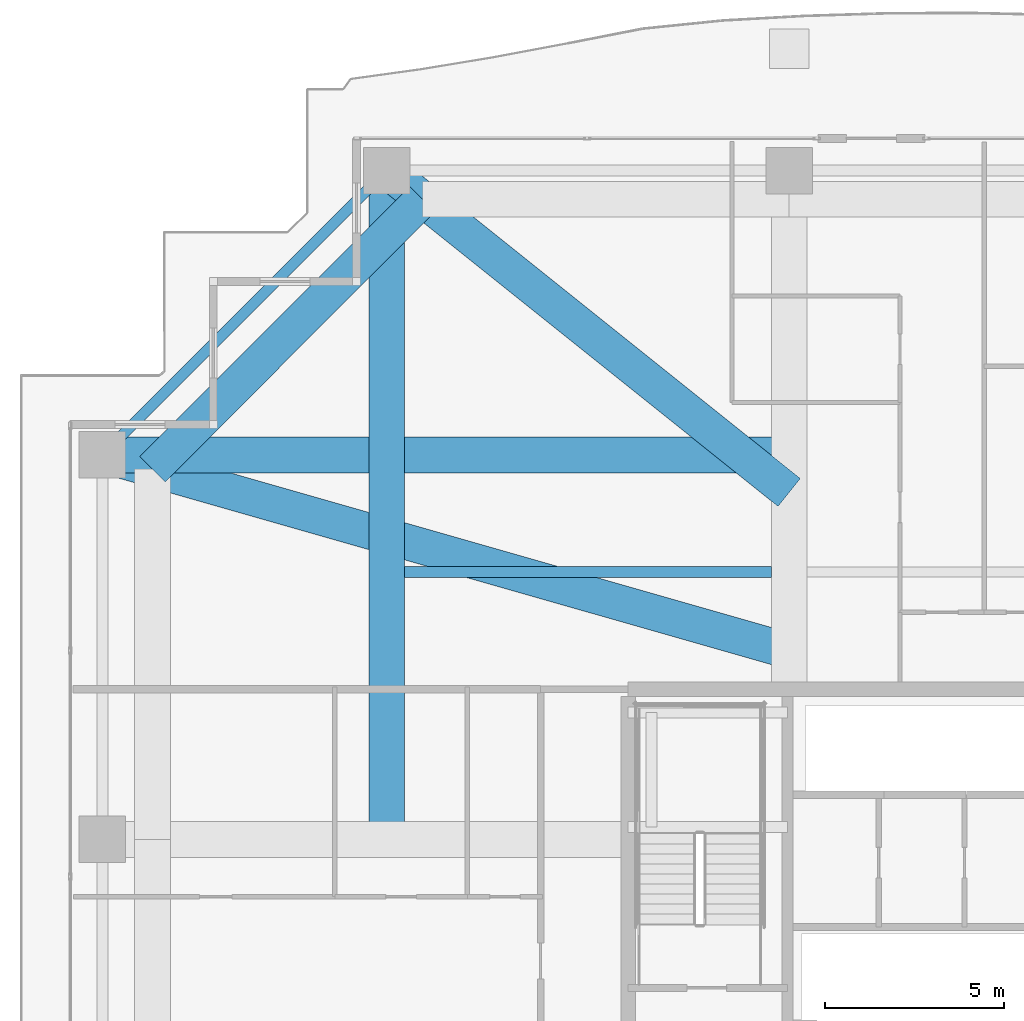
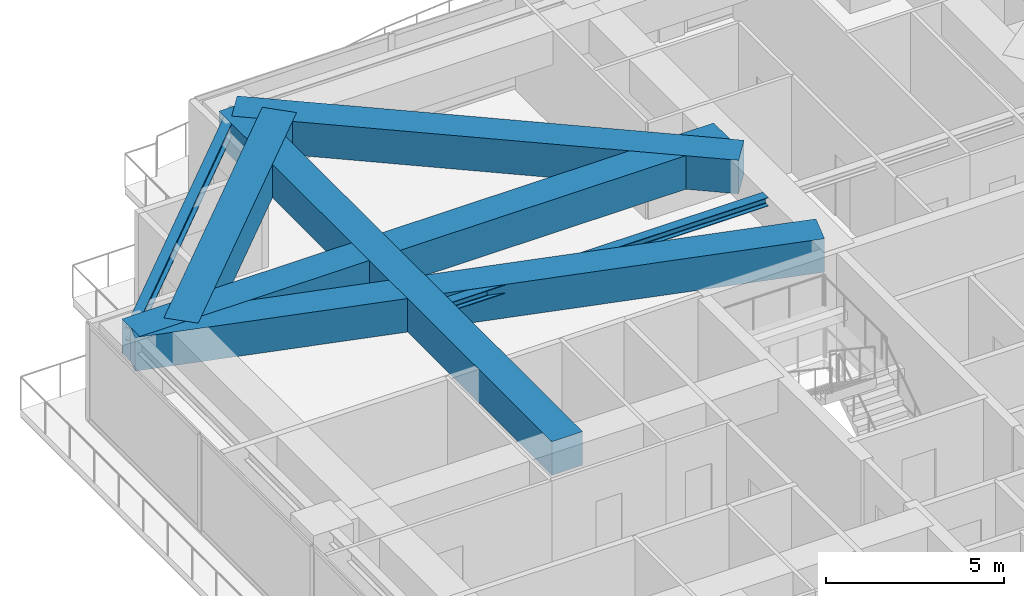
# One storey, part 15 of 32: 7 beams.
"""IFC4 building model written with IfcOpenShell, lengths in metres."""

from ifc_helpers import new_model, si_unit, direction, frame, origin, origin_2d, place, context, subcontext, project, spatial, rectangle, i_section, extrude, source, transform, mapped, material, material_profile, profile_set, type_object, element, save


model = new_model("IFC4")

# Units and contexts
model_context = context("Model", 3, precision=1e-05, world=origin(), true_north=direction((0.0, 1.0)))
body_context = subcontext(model_context, "Body", "Model", "MODEL_VIEW")
ifc_project = project(units=[si_unit("LENGTHUNIT", "METRE"), si_unit("AREAUNIT", "SQUARE_METRE"), si_unit("VOLUMEUNIT", "CUBIC_METRE"), si_unit("PLANEANGLEUNIT", "RADIAN"), si_unit("MASSUNIT", "GRAM", prefix="KILO")], contexts=[model_context])

# Site, building, storey
site_placement = place(None, origin())
site = spatial("IfcSite", under=ifc_project, at=site_placement, CompositionType="ELEMENT")
building_placement = place(site_placement, origin())
building = spatial("IfcBuilding", under=site, at=building_placement, Name="Serunith Strait Residences", CompositionType="ELEMENT")
storey_placement = place(building_placement, frame((0.0, 0.0, 195.14990234375)))
storey = spatial("IfcBuildingStorey", under=building, at=storey_placement, Name="L49", CompositionType="ELEMENT", Elevation=195.14990234375)

# Beams
ifc_material_1 = material(Name="Steel S355J2", Category="steel")
ifc_material_profile_1 = material_profile(ifc_material_1, i_section(OverallWidth=0.300048828125, OverallDepth=0.449951171875, WebThickness=0.013916015625, FlangeThickness=0.02587890625, FilletRadius=0.027099609375, at=origin_2d()), Name="HEB 450")
ifc_profile_set_1 = profile_set([ifc_material_profile_1], Name="Steel S355J2")
beam_type_1 = type_object("IfcBeamType", Name="BM-HEB450", PredefinedType="BEAM", material=ifc_profile_set_1)
shared_shape_1 = source(origin(), body_context, "Body", "SweptSolid", [
    extrude(i_section(OverallWidth=0.300048828125, OverallDepth=0.449951171875, WebThickness=0.013916015625, FlangeThickness=0.02587890625, FilletRadius=0.027099609375, at=origin_2d()), origin(), (0.0, 0.0, 1.0), 11.2431640625),
])
beam_1_placement = place(storey_placement, frame((16.64990234375, 48.10009765625, 3.08203125), z_axis=(-0.707095923751, -0.707117638455, 0.0), x_axis=(0.707117638455, -0.707095923751, 0.0)))
element("IfcBeam", 1, at=beam_1_placement, inside=storey, type_object=beam_type_1, Name="L49 Perimeter Ring Beam 12", PredefinedType="BEAM", context=body_context, shape_type="MappedRepresentation", body=[
    mapped(shared_shape_1, transform((0.0, 0.0, 0.0), scale=1.0)),
])
ifc_material_2 = material(Name="Concrete C80/95", Category="concrete")
ifc_material_profile_2 = material_profile(ifc_material_2, rectangle(XDim=1.0, YDim=1.14990234375, at=origin_2d()), Name="RC 1000x1150")
ifc_profile_set_2 = profile_set([ifc_material_profile_2], Name="Concrete C80/95")
beam_type_2 = type_object("IfcBeamType", Name="BM-XFER-1000x1150", PredefinedType="BEAM", material=ifc_profile_set_2)
shared_shape_2 = source(origin(), body_context, "Body", "SweptSolid", [
    extrude(rectangle(XDim=1.0, YDim=1.14990234375, at=origin_2d()), origin(), (0.0, 0.0, 1.0), 18.7001953125),
])
beam_2_placement = place(storey_placement, frame((16.64990234375, 29.39990234375, 2.735107421875), z_axis=(0.0, 1.0, 0.0), x_axis=(-1.0, 0.0, 0.0)))
element("IfcBeam", 2, at=beam_2_placement, inside=storey, type_object=beam_type_2, Name="L49 Orthogonal Corner Girder TC-N1", PredefinedType="BEAM", context=body_context, shape_type="MappedRepresentation", body=[
    mapped(shared_shape_2, transform((0.0, 0.0, 0.0), scale=1.0)),
])
shared_shape_3 = source(origin(), body_context, "Body", "SweptSolid", [
    extrude(rectangle(XDim=1.0, YDim=1.14990234375, at=origin_2d()), origin(), (0.0, 0.0, 1.0), 19.199951171875),
])
beam_3_placement = place(storey_placement, frame((27.89990234375, 40.14990234375, 2.735107421875), z_axis=(-1.0, 0.0, 0.0), x_axis=(0.0, -1.0, 0.0)))
element("IfcBeam", 3, at=beam_3_placement, inside=storey, type_object=beam_type_2, Name="L49 Orthogonal Corner Girder TC-W4", PredefinedType="BEAM", context=body_context, shape_type="MappedRepresentation", body=[
    mapped(shared_shape_3, transform((0.0, 0.0, 0.0), scale=1.0)),
])
shared_shape_4 = source(origin(), body_context, "Body", "SweptSolid", [
    extrude(rectangle(XDim=1.0, YDim=1.14990234375, at=origin_2d()), origin(), (0.0, 0.0, 1.0), 14.406982421875),
])
beam_4_placement = place(storey_placement, frame((16.64990234375, 48.10009765625, 2.735107421875), z_axis=(0.780868809443, -0.624695047554, 0.0), x_axis=(0.624695047554, 0.780868809443, 0.0)))
element("IfcBeam", 4, at=beam_4_placement, inside=storey, type_object=beam_type_2, Name="L49 Diagonal Corner Transfer Girder TC-N1", PredefinedType="BEAM", context=body_context, shape_type="MappedRepresentation", body=[
    mapped(shared_shape_4, transform((0.0, 0.0, 0.0), scale=1.0)),
])
shared_shape_5 = source(origin(), body_context, "Body", "SweptSolid", [
    extrude(rectangle(XDim=1.0, YDim=1.14990234375, at=origin_2d()), origin(), (0.0, 0.0, 1.0), 19.96826171875),
])
beam_5_placement = place(storey_placement, frame((8.699951171875, 40.14990234375, 2.735107421875), z_axis=(0.961525331756, -0.274716283448, 0.0), x_axis=(0.274716283448, 0.961525331756, 0.0)))
element("IfcBeam", 5, at=beam_5_placement, inside=storey, type_object=beam_type_2, Name="L49 Diagonal Corner Transfer Girder TC-W4", PredefinedType="BEAM", context=body_context, shape_type="MappedRepresentation", body=[
    mapped(shared_shape_5, transform((0.0, 0.0, 0.0), scale=1.0)),
])
shared_shape_6 = source(origin(), body_context, "Body", "SweptSolid", [
    extrude(rectangle(XDim=1.0, YDim=1.14990234375, at=origin_2d()), origin(), (0.0, 0.0, 1.0), 10.67724609375),
])
beam_6_placement = place(storey_placement, frame((17.64990234375, 47.300048828125, 2.735107421875), z_axis=(-0.707095348302, -0.707118213887, 0.0), x_axis=(0.707118213887, -0.707095348302, 0.0)))
element("IfcBeam", 6, at=beam_6_placement, inside=storey, type_object=beam_type_2, Name="L49 Flare Upper Ring Transfer Girder 12", PredefinedType="BEAM", context=body_context, shape_type="MappedRepresentation", body=[
    mapped(shared_shape_6, transform((0.0, 0.0, 0.0), scale=1.0)),
])
ifc_material_profile_3 = material_profile(ifc_material_1, i_section(OverallWidth=0.300048828125, OverallDepth=0.300048828125, WebThickness=0.010986328125, FlangeThickness=0.01904296875, FilletRadius=0.027099609375, at=origin_2d()), Name="HEB 300")
ifc_profile_set_3 = profile_set([ifc_material_profile_3], Name="Steel S355J2")
beam_type_3 = type_object("IfcBeamType", Name="BM-HEB300", PredefinedType="JOIST", material=ifc_profile_set_3)
shared_shape_7 = source(origin(), body_context, "Body", "SweptSolid", [
    extrude(i_section(OverallWidth=0.300048828125, OverallDepth=0.300048828125, WebThickness=0.010986328125, FlangeThickness=0.01904296875, FilletRadius=0.027099609375, at=origin_2d()), origin(), (0.0, 0.0, 1.0), 10.25),
])
beam_7_placement = place(storey_placement, frame((17.14990234375, 36.875, 3.156982421875), z_axis=(1.0, 0.0, 0.0), x_axis=(0.0, 1.0, 0.0)))
element("IfcBeam", 7, at=beam_7_placement, inside=storey, type_object=beam_type_3, Name="L49 Composite Floor Joist 04", PredefinedType="JOIST", context=body_context, shape_type="MappedRepresentation", body=[
    mapped(shared_shape_7, transform((0.0, 0.0, 0.0), scale=1.0)),
])

save(model, "model.ifc")
